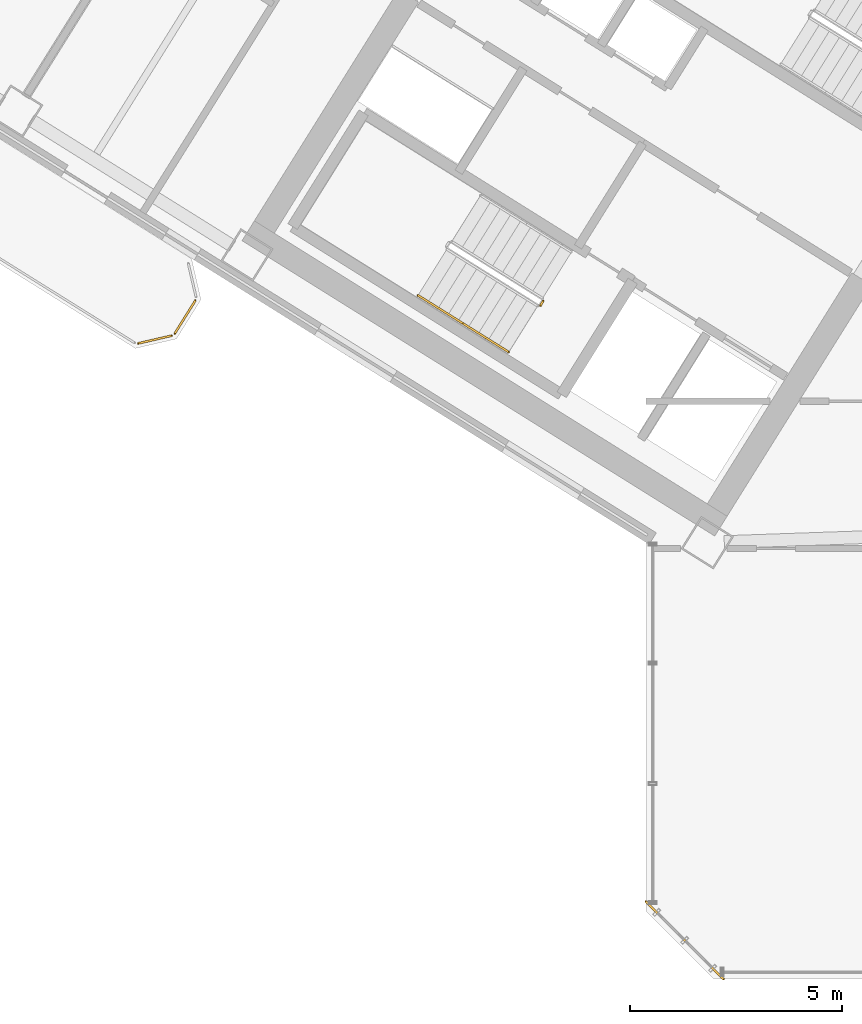
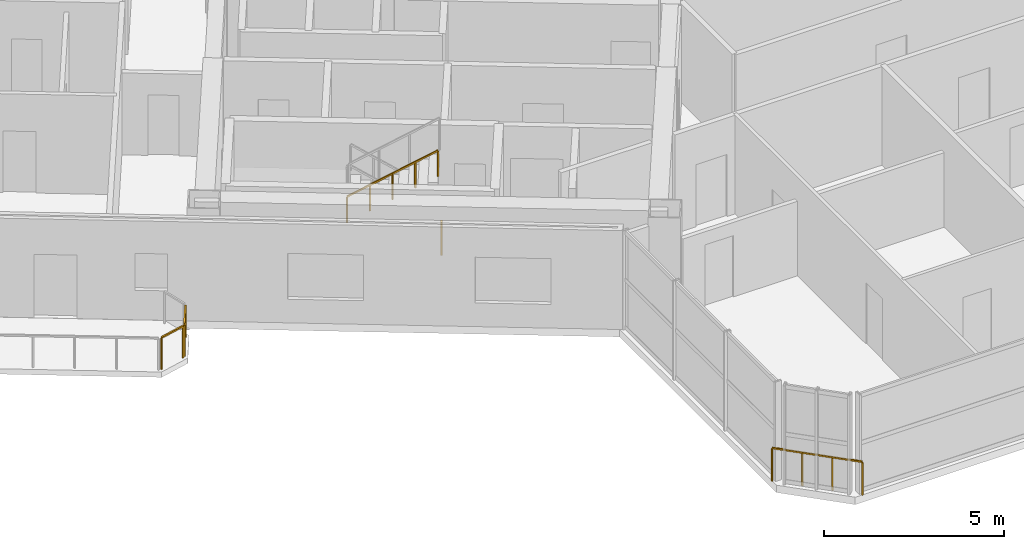
# One storey, part 17 of 21: 6 railings.
"""IFC4 building model written with IfcOpenShell, lengths in metres."""

from ifc_helpers import new_model, si_unit, direction, frame, origin, origin_2d, place, context, subcontext, project, spatial, rectangle, extrude, source, transform, mapped, material, type_object, element, save


model = new_model("IFC4")

# Units and contexts
model_context = context("Model", 3, precision=1e-05, world=origin(), true_north=direction((0.0, 1.0)))
body_context = subcontext(model_context, "Body", "Model", "MODEL_VIEW")
ifc_project = project(units=[si_unit("LENGTHUNIT", "METRE"), si_unit("AREAUNIT", "SQUARE_METRE"), si_unit("VOLUMEUNIT", "CUBIC_METRE"), si_unit("PLANEANGLEUNIT", "RADIAN"), si_unit("MASSUNIT", "GRAM", prefix="KILO")], contexts=[model_context])

# Site, building, storey
site_placement = place(None, origin())
site = spatial("IfcSite", under=ifc_project, at=site_placement, CompositionType="ELEMENT")
building_placement = place(site_placement, origin())
building = spatial("IfcBuilding", under=site, at=building_placement, Name="Tlacorven Tower", CompositionType="ELEMENT")
storey_placement = place(building_placement, frame((0.0, 0.0, 119.699951171875)))
storey = spatial("IfcBuildingStorey", under=building, at=storey_placement, Name="L30", CompositionType="ELEMENT", Elevation=119.699951171875)

# Railings
ifc_material = material(Name="Aluminium and painted steel balustrade", Category="steel")
railing_type_1 = type_object("IfcRailingType", Name="RL-BAL-1100", PredefinedType="BALUSTRADE", material=ifc_material)
shared_shape_1 = source(origin(), body_context, "Body", "SweptSolid", [
    extrude(rectangle(XDim=0.048095703125, YDim=0.048095703125, at=origin_2d()), frame((0.0, 0.0, 1.076171875), z_axis=(-0.52987865805, -0.848073468364, 0.0), x_axis=(0.848073468364, -0.52987865805, 0.0)), (0.0, 0.0, 1.0), 0.912353515625),
    extrude(rectangle(XDim=0.0419921875, YDim=0.0419921875, at=origin_2d()), origin(), (0.0, 0.0, 1.0), 1.052001953125),
    extrude(rectangle(XDim=0.0419921875, YDim=0.0419921875, at=origin_2d()), frame((-0.4833984375, -0.773681640625, 0.0)), (0.0, 0.0, 1.0), 1.052001953125),
])
railing_1_placement = place(storey_placement, frame((20.976318359375, 17.793701171875, 0.0)))
element("IfcRailing", 1, at=railing_1_placement, inside=storey, type_object=railing_type_1, Name="BAL-L30-W-OUT Guard Railing 2", PredefinedType="BALUSTRADE", context=body_context, shape_type="MappedRepresentation", body=[
    mapped(shared_shape_1, transform((0.0, 0.0, 0.0), scale=1.0)),
])
shared_shape_2 = source(origin(), body_context, "Body", "SweptSolid", [
    extrude(rectangle(XDim=0.048095703125, YDim=0.048095703125, at=origin_2d()), frame((0.0, 0.0, 1.076171875), z_axis=(-0.974345290916, -0.225058334816, 0.0), x_axis=(0.225058334816, -0.974345290916, 0.0)), (0.0, 0.0, 1.0), 0.80712890625),
    extrude(rectangle(XDim=0.0419921875, YDim=0.0419921875, at=origin_2d()), origin(), (0.0, 0.0, 1.0), 1.052001953125),
    extrude(rectangle(XDim=0.0419921875, YDim=0.0419921875, at=origin_2d()), frame((-0.786376953125, -0.181640625, 0.0)), (0.0, 0.0, 1.0), 1.052001953125),
])
railing_2_placement = place(storey_placement, frame((20.417724609375, 16.966552734375, 0.0)))
element("IfcRailing", 2, at=railing_2_placement, inside=storey, type_object=railing_type_1, Name="BAL-L30-W-OUT Guard Railing 3", PredefinedType="BALUSTRADE", context=body_context, shape_type="MappedRepresentation", body=[
    mapped(shared_shape_2, transform((0.0, 0.0, 0.0), scale=1.0)),
])
railing_type_2 = type_object("IfcRailingType", Name="RL-GRD-1150", PredefinedType="GUARDRAIL", material=ifc_material)
shared_shape_3 = source(origin(), body_context, "Body", "SweptSolid", [
    extrude(rectangle(XDim=0.048095703125, YDim=0.048095703125, at=origin_2d()), frame((0.0, 0.0, 1.1259765625), z_axis=(-0.707106781187, 0.707106781187, 0.0), x_axis=(-0.707106781187, -0.707106781187, 0.0)), (0.0, 0.0, 1.0), 2.590087890625),
    extrude(rectangle(XDim=0.0419921875, YDim=0.0419921875, at=origin_2d()), origin(), (0.0, 0.0, 1.0), 1.101806640625),
    extrude(rectangle(XDim=0.0419921875, YDim=0.0419921875, at=origin_2d()), frame((-0.610595703125, 0.610595703125, 0.0)), (0.0, 0.0, 1.0), 1.101806640625),
    extrude(rectangle(XDim=0.0419921875, YDim=0.0419921875, at=origin_2d()), frame((-1.220947265625, 1.220947265625, 0.0)), (0.0, 0.0, 1.0), 1.101806640625),
    extrude(rectangle(XDim=0.0419921875, YDim=0.0419921875, at=origin_2d()), frame((-1.83154296875, 1.83154296875, 0.0)), (0.0, 0.0, 1.0), 1.101806640625),
])
railing_3_placement = place(storey_placement, frame((33.428955078125, 1.79736328125, 0.0)))
element("IfcRailing", 3, at=railing_3_placement, inside=storey, type_object=railing_type_2, Name="L30 Knuckle Glazed Sill Guard 1", PredefinedType="GUARDRAIL", context=body_context, shape_type="MappedRepresentation", body=[
    mapped(shared_shape_3, transform((0.0, 0.0, 0.0), scale=1.0)),
])
railing_type_3 = type_object("IfcRailingType", Name="RL-GRD-1100", PredefinedType="GUARDRAIL", material=ifc_material)
shared_shape_4 = source(origin(), body_context, "Body", "SweptSolid", [
    extrude(rectangle(XDim=0.048095703125, YDim=0.048095703125, at=origin_2d()), frame((0.0, 0.0, 1.076171875), z_axis=(-0.529084052582, -0.848569422795, 0.0), x_axis=(0.848569422795, -0.529084052582, 0.0)), (0.0, 0.0, 1.0), 0.119873046875),
    extrude(rectangle(XDim=0.0419921875, YDim=0.0419921875, at=origin_2d()), origin(), (0.0, 0.0, 1.0), 1.052001953125),
    extrude(rectangle(XDim=0.0419921875, YDim=0.0419921875, at=origin_2d()), frame((-0.0634765625, -0.101806640625, 0.0)), (0.0, 0.0, 1.0), 1.052001953125),
])
railing_4_placement = place(storey_placement, frame((29.176513671875, 17.782958984375, 0.0)))
element("IfcRailing", 4, at=railing_4_placement, inside=storey, type_object=railing_type_3, Name="L30 ST-W1 stair guard 4", PredefinedType="GUARDRAIL", context=body_context, shape_type="MappedRepresentation", body=[
    mapped(shared_shape_4, transform((0.0, 0.0, 0.0), scale=1.0)),
])
railing_type_4 = type_object("IfcRailingType", Name="RL-HND-0900", PredefinedType="HANDRAIL", material=ifc_material)
shared_shape_5 = source(origin(), body_context, "Body", "SweptSolid", [
    extrude(rectangle(XDim=0.048095703125, YDim=0.048095703125, at=origin_2d()), frame((0.0, 0.0, 0.8759765625), z_axis=(0.713359751793, -0.4457479829, 0.540764828981), x_axis=(0.529911857636, 0.848052724267, 0.0)), (0.0, 0.0, 1.0), 1.498046875),
    extrude(rectangle(XDim=0.0419921875, YDim=0.0419921875, at=origin_2d()), origin(), (0.0, 0.0, 1.0), 0.851806640625),
    extrude(rectangle(XDim=0.0419921875, YDim=0.0419921875, at=origin_2d()), frame((0.5341796875, -0.333984375, 0.405029296875)), (0.0, 0.0, 1.0), 0.851806640625),
    extrude(rectangle(XDim=0.0419921875, YDim=0.0419921875, at=origin_2d()), frame((1.068603515625, -0.667724609375, 0.81005859375)), (0.0, 0.0, 1.0), 0.851806640625),
])
railing_5_placement = place(storey_placement, frame((26.228759765625, 17.915283203125, 1.97998046875)))
element("IfcRailing", 5, at=railing_5_placement, inside=storey, type_object=railing_type_4, Name="L30 ST-W1 stair handrail 3", PredefinedType="HANDRAIL", context=body_context, shape_type="MappedRepresentation", body=[
    mapped(shared_shape_5, transform((0.0, 0.0, 0.0), scale=1.0)),
])
shared_shape_6 = source(origin(), body_context, "Body", "SweptSolid", [
    extrude(rectangle(XDim=0.048095703125, YDim=0.048095703125, at=origin_2d()), frame((0.0, 0.0, 0.8759765625), z_axis=(0.713279695859, -0.445799809912, 0.540827703579), x_axis=(0.529998940003, 0.847998304005, 0.0)), (0.0, 0.0, 1.0), 1.497802734375),
    extrude(rectangle(XDim=0.0419921875, YDim=0.0419921875, at=origin_2d()), origin(), (0.0, 0.0, 1.0), 0.851806640625),
    extrude(rectangle(XDim=0.0419921875, YDim=0.0419921875, at=origin_2d()), frame((0.5341796875, -0.333984375, 0.405029296875)), (0.0, 0.0, 1.0), 0.851806640625),
    extrude(rectangle(XDim=0.0419921875, YDim=0.0419921875, at=origin_2d()), frame((1.068359375, -0.667724609375, 0.81005859375)), (0.0, 0.0, 1.0), 0.851806640625),
])
railing_6_placement = place(storey_placement, frame((27.29736328125, 17.24755859375, 2.7900390625)))
element("IfcRailing", 6, at=railing_6_placement, inside=storey, type_object=railing_type_4, Name="L30 ST-W1 stair handrail 4", PredefinedType="HANDRAIL", context=body_context, shape_type="MappedRepresentation", body=[
    mapped(shared_shape_6, transform((0.0, 0.0, 0.0), scale=1.0)),
])

save(model, "model.ifc")
